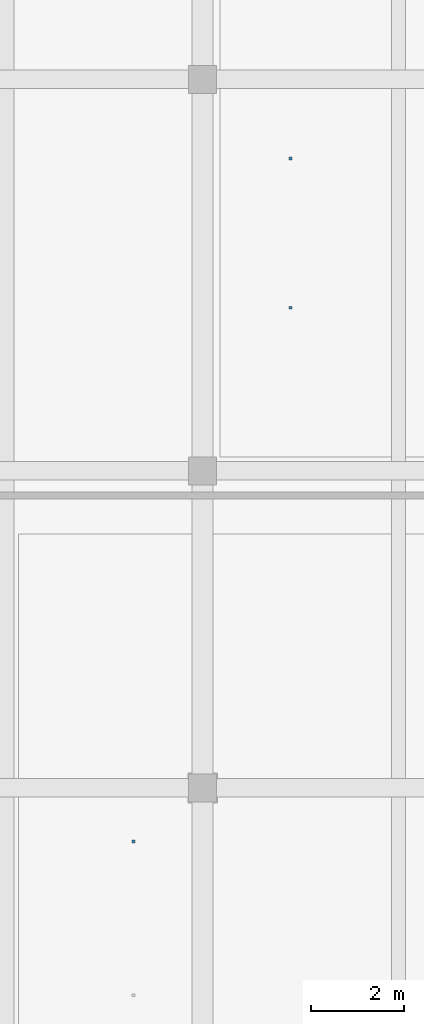
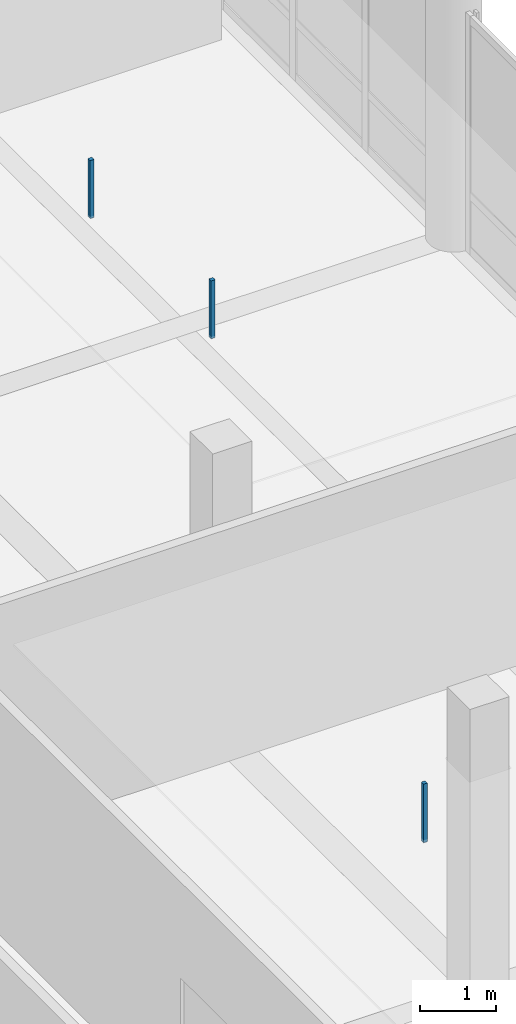
# One storey, part 69 of 122: 3 discrete accessories.
"""IFC4 building model written with IfcOpenShell, lengths in metres."""

from ifc_helpers import new_model, si_unit, direction, frame, origin, origin_2d, place, context, subcontext, project, spatial, rectangle, extrude, material, type_object, element, save


model = new_model("IFC4")

# Units and contexts
model_context = context("Model", 3, precision=1e-05, world=origin(), true_north=direction((0.0, 1.0)))
body_context = subcontext(model_context, "Body", "Model", "MODEL_VIEW")
ifc_project = project(units=[si_unit("LENGTHUNIT", "METRE"), si_unit("AREAUNIT", "SQUARE_METRE"), si_unit("VOLUMEUNIT", "CUBIC_METRE"), si_unit("PLANEANGLEUNIT", "RADIAN"), si_unit("MASSUNIT", "GRAM", prefix="KILO")], contexts=[model_context])

# Site, building, storey
site_placement = place(None, origin())
site = spatial("IfcSite", under=ifc_project, at=site_placement, CompositionType="ELEMENT")
building_placement = place(site_placement, origin())
building = spatial("IfcBuilding", under=site, at=building_placement, Name="Telukmera Botanical Conservatory", CompositionType="ELEMENT")
storey_placement = place(building_placement, frame((0.0, 0.0, 10.199951171875)))
storey = spatial("IfcBuildingStorey", under=building, at=storey_placement, Name="L02", CompositionType="ELEMENT", Elevation=10.199951171875)

# Discrete accessories
ifc_material = material(Name="Steel S355", Category="steel")
discrete_accessory_type = type_object("IfcDiscreteAccessoryType", Name="ACC-CEIL-HGR", PredefinedType="BRACKET", material=ifc_material)
discrete_accessory_placement = place(storey_placement, frame((32.114013671875, 41.64990234375, 3.60986328125), z_axis=(0.0, 0.0, 1.0), x_axis=(1.0, 0.0, 0.0)))
element("IfcDiscreteAccessory", 1, at=discrete_accessory_placement, inside=storey, type_object=discrete_accessory_type, Name="L02 Suspended Ceiling Hanger Rod 014-2", PredefinedType="BRACKET", context=body_context, shape_type="SweptSolid", body=[
    extrude(rectangle(XDim=0.06005859375, YDim=0.06005859375, at=origin_2d()), origin(), (0.0, 0.0, 1.0), 0.945068359375),
])
for number, where, z_axis, x_axis, name in (
    (2, (35.483642578125, 53.10009765625, 3.6201171875), (0.0, 0.0, 1.0), (1.0, 0.0, 0.0), "L02 Suspended Ceiling Hanger Rod 015-1"),
    (3, (35.483642578125, 56.300048828125, 3.6201171875), (0.0, 0.0, 1.0), (1.0, 0.0, 0.0), "L02 Suspended Ceiling Hanger Rod 015-2"),
):
    element("IfcDiscreteAccessory", number, at=place(storey_placement, frame(where, z_axis=z_axis, x_axis=x_axis)), inside=storey, type_object=discrete_accessory_type, Name=name, PredefinedType="BRACKET", context=body_context, shape_type="SweptSolid", body=[
        extrude(rectangle(XDim=0.06005859375, YDim=0.06005859375, at=origin_2d()), origin(), (0.0, 0.0, 1.0), 0.93505859375),
    ])

save(model, "model.ifc")
